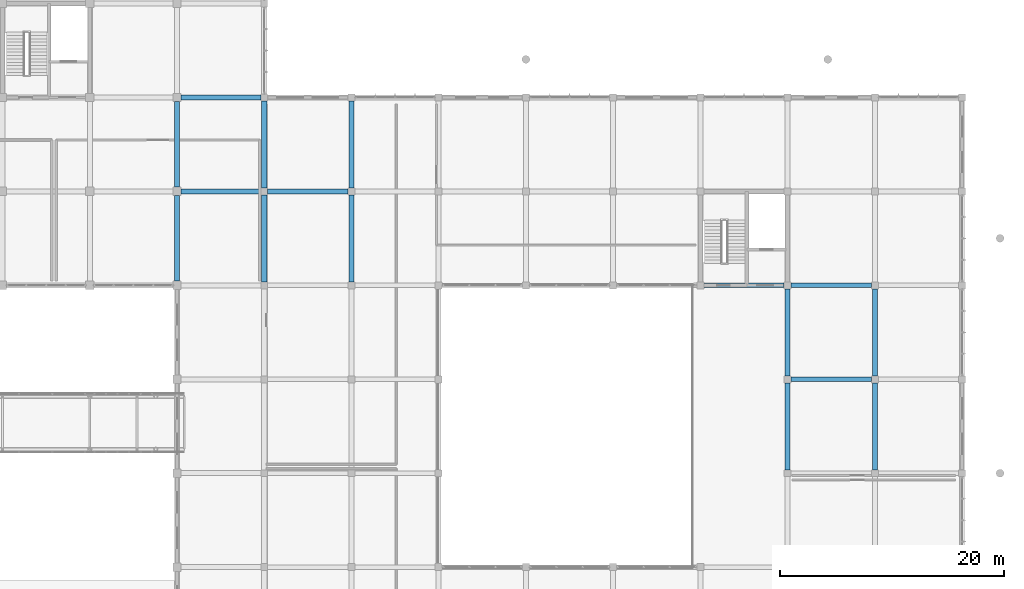
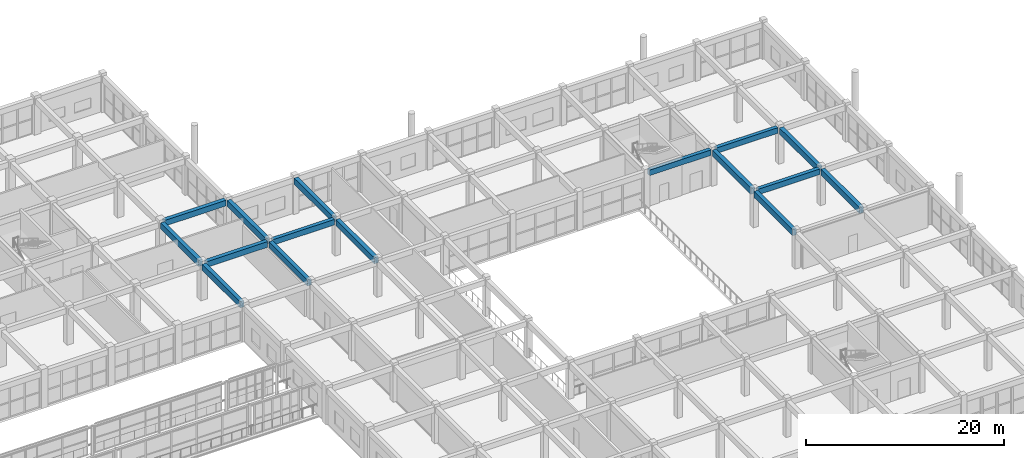
# One storey, part 101 of 167: 16 beams.
"""IFC4 building model written with IfcOpenShell, lengths in metres."""

from ifc_helpers import new_model, si_unit, direction, frame, origin, origin_2d, place, context, subcontext, project, spatial, rectangle, extrude, material, material_profile, profile_set, type_object, element, save


model = new_model("IFC4")

# Units and contexts
model_context = context("Model", 3, precision=1e-05, world=origin(), true_north=direction((0.0, 1.0)))
body_context = subcontext(model_context, "Body", "Model", "MODEL_VIEW")
ifc_project = project(units=[si_unit("LENGTHUNIT", "METRE"), si_unit("AREAUNIT", "SQUARE_METRE"), si_unit("VOLUMEUNIT", "CUBIC_METRE"), si_unit("PLANEANGLEUNIT", "RADIAN"), si_unit("MASSUNIT", "GRAM", prefix="KILO")], contexts=[model_context])

# Site, building, storey
site_placement = place(None, origin())
site = spatial("IfcSite", under=ifc_project, at=site_placement, CompositionType="ELEMENT")
building_placement = place(site_placement, origin())
building = spatial("IfcBuilding", under=site, at=building_placement, Name="Zizhar Promenade General Hospital", CompositionType="ELEMENT")
storey_placement = place(building_placement, frame((0.0, 0.0, 9.60009765625)))
storey = spatial("IfcBuildingStorey", under=building, at=storey_placement, Name="L02", CompositionType="ELEMENT", Elevation=9.60009765625)

# Beams
ifc_material_1 = material(Name="Concrete C35/45", Category="concrete")
ifc_material_profile_1 = material_profile(ifc_material_1, rectangle(XDim=0.419921875, YDim=0.679931640625, at=origin_2d()))
ifc_profile_set_1 = profile_set([ifc_material_profile_1], Name="Concrete C35/45")
beam_type_1 = type_object("IfcBeamType", Name="BM-RC-420x680", PredefinedType="JOIST", material=ifc_profile_set_1)
for number, where, z_axis, x_axis, name in (
    (1, (132.909912109375, 100.800048828125, 4.1298828125), (1.0, 0.0, 0.0), (0.0, 1.0, 0.0), "Grid Beam X L02 (17-12)"),
    (2, (171.909912109375, 92.39990234375, 4.1298828125), (1.0, 0.0, 0.0), (0.0, 1.0, 0.0), "Grid Beam X L02 (22-11)"),
):
    element("IfcBeam", number, at=place(storey_placement, frame(where, z_axis=z_axis, x_axis=x_axis)), inside=storey, type_object=beam_type_1, Name=name, PredefinedType="JOIST", context=body_context, shape_type="SweptSolid", body=[
        extrude(rectangle(XDim=0.419921875, YDim=0.679931640625, at=origin_2d()), origin(), (0.0, 0.0, 1.0), 7.18017578125),
    ])
for number, where, z_axis, x_axis, name in (
    (3, (179.7099609375, 84.0, 4.1298828125), (1.0, 0.0, 0.0), (0.0, 1.0, 0.0), "Grid Beam X L02 (23-10)"),
    (4, (179.7099609375, 92.39990234375, 4.1298828125), (1.0, 0.0, 0.0), (0.0, 1.0, 0.0), "Grid Beam X L02 (23-11)"),
):
    element("IfcBeam", number, at=place(storey_placement, frame(where, z_axis=z_axis, x_axis=x_axis)), inside=storey, type_object=beam_type_1, Name=name, PredefinedType="JOIST", context=body_context, shape_type="SweptSolid", body=[
        extrude(rectangle(XDim=0.419921875, YDim=0.679931640625, at=origin_2d()), origin(), (0.0, 0.0, 1.0), 7.179931640625),
    ])
ifc_material_2 = material(Name="Concrete C35/45", Category="concrete")
ifc_material_profile_2 = material_profile(ifc_material_2, rectangle(XDim=0.449951171875, YDim=0.699951171875, at=origin_2d()))
ifc_profile_set_2 = profile_set([ifc_material_profile_2], Name="Concrete C35/45")
beam_type_2 = type_object("IfcBeamType", Name="BM-RC-450x700", PredefinedType="BEAM", material=ifc_profile_set_2)
for number, where, z_axis, x_axis, name in (
    (5, (125.175048828125, 100.800048828125, 4.119873046875), (1.0, 0.0, 0.0), (0.0, 1.0, 0.0), "Grid Beam X L02 (16-12)"),
    (6, (125.175048828125, 109.199951171875, 4.119873046875), (1.0, 0.0, 0.0), (0.0, 1.0, 0.0), "Grid Beam X L02 (16-13)"),
):
    element("IfcBeam", number, at=place(storey_placement, frame(where, z_axis=z_axis, x_axis=x_axis)), inside=storey, type_object=beam_type_2, Name=name, PredefinedType="BEAM", context=body_context, shape_type="SweptSolid", body=[
        extrude(rectangle(XDim=0.449951171875, YDim=0.699951171875, at=origin_2d()), origin(), (0.0, 0.0, 1.0), 7.114990234375),
    ])
ifc_material_3 = material(Name="Concrete C35/45", Category="concrete")
ifc_material_profile_3 = material_profile(ifc_material_3, rectangle(XDim=0.449951171875, YDim=0.75, at=origin_2d()))
ifc_profile_set_3 = profile_set([ifc_material_profile_3], Name="Concrete C35/45")
beam_type_3 = type_object("IfcBeamType", Name="BM-RC-450x750", PredefinedType="BEAM", material=ifc_profile_set_3)
beam_1_placement = place(storey_placement, frame((124.800048828125, 92.77490234375, 4.094970703125), z_axis=(0.0, 1.0, 0.0), x_axis=(-1.0, 0.0, 0.0)))
element("IfcBeam", 7, at=beam_1_placement, inside=storey, type_object=beam_type_3, Name="Grid Beam Y L02 (16-11)", PredefinedType="BEAM", context=body_context, shape_type="SweptSolid", body=[
    extrude(rectangle(XDim=0.449951171875, YDim=0.75, at=origin_2d()), origin(), (0.0, 0.0, 1.0), 7.650146484375),
])
beam_2_placement = place(storey_placement, frame((124.800048828125, 101.175048828125, 4.094970703125), z_axis=(0.0, 1.0, 0.0), x_axis=(-1.0, 0.0, 0.0)))
element("IfcBeam", 8, at=beam_2_placement, inside=storey, type_object=beam_type_3, Name="Grid Beam Y L02 (16-12)", PredefinedType="BEAM", context=body_context, shape_type="SweptSolid", body=[
    extrude(rectangle(XDim=0.449951171875, YDim=0.75, at=origin_2d()), origin(), (0.0, 0.0, 1.0), 7.64990234375),
])
beam_3_placement = place(storey_placement, frame((132.60009765625, 92.7099609375, 4.094970703125), z_axis=(0.0, 1.0, 0.0), x_axis=(-1.0, 0.0, 0.0)))
element("IfcBeam", 9, at=beam_3_placement, inside=storey, type_object=beam_type_3, Name="Grid Beam Y L02 (17-11)", PredefinedType="BEAM", context=body_context, shape_type="SweptSolid", body=[
    extrude(rectangle(XDim=0.449951171875, YDim=0.75, at=origin_2d()), origin(), (0.0, 0.0, 1.0), 7.780029296875),
])
beam_4_placement = place(storey_placement, frame((132.60009765625, 101.110107421875, 4.094970703125), z_axis=(0.0, 1.0, 0.0), x_axis=(-1.0, 0.0, 0.0)))
element("IfcBeam", 10, at=beam_4_placement, inside=storey, type_object=beam_type_3, Name="Grid Beam Y L02 (17-12)", PredefinedType="BEAM", context=body_context, shape_type="SweptSolid", body=[
    extrude(rectangle(XDim=0.449951171875, YDim=0.75, at=origin_2d()), origin(), (0.0, 0.0, 1.0), 7.77978515625),
])
beam_5_placement = place(storey_placement, frame((140.39990234375, 92.7099609375, 4.094970703125), z_axis=(0.0, 1.0, 0.0), x_axis=(-1.0, 0.0, 0.0)))
element("IfcBeam", 11, at=beam_5_placement, inside=storey, type_object=beam_type_3, Name="Grid Beam Y L02 (18-11)", PredefinedType="BEAM", context=body_context, shape_type="SweptSolid", body=[
    extrude(rectangle(XDim=0.449951171875, YDim=0.75, at=origin_2d()), origin(), (0.0, 0.0, 1.0), 7.780029296875),
])
beam_6_placement = place(storey_placement, frame((140.39990234375, 101.110107421875, 4.094970703125), z_axis=(0.0, 1.0, 0.0), x_axis=(-1.0, 0.0, 0.0)))
element("IfcBeam", 12, at=beam_6_placement, inside=storey, type_object=beam_type_3, Name="Grid Beam Y L02 (18-12)", PredefinedType="BEAM", context=body_context, shape_type="SweptSolid", body=[
    extrude(rectangle(XDim=0.449951171875, YDim=0.75, at=origin_2d()), origin(), (0.0, 0.0, 1.0), 7.77978515625),
])
for number, where, z_axis, x_axis, name in (
    (13, (179.39990234375, 75.909912109375, 4.094970703125), (0.0, 1.0, 0.0), (-1.0, 0.0, 0.0), "Grid Beam Y L02 (23-9)"),
    (14, (179.39990234375, 84.31005859375, 4.094970703125), (0.0, 1.0, 0.0), (-1.0, 0.0, 0.0), "Grid Beam Y L02 (23-10)"),
    (15, (187.199951171875, 75.909912109375, 4.094970703125), (0.0, 1.0, 0.0), (-1.0, 0.0, 0.0), "Grid Beam Y L02 (24-9)"),
    (16, (187.199951171875, 84.31005859375, 4.094970703125), (0.0, 1.0, 0.0), (-1.0, 0.0, 0.0), "Grid Beam Y L02 (24-10)"),
):
    element("IfcBeam", number, at=place(storey_placement, frame(where, z_axis=z_axis, x_axis=x_axis)), inside=storey, type_object=beam_type_3, Name=name, PredefinedType="BEAM", context=body_context, shape_type="SweptSolid", body=[
        extrude(rectangle(XDim=0.449951171875, YDim=0.75, at=origin_2d()), origin(), (0.0, 0.0, 1.0), 7.780029296875),
    ])

save(model, "model.ifc")
